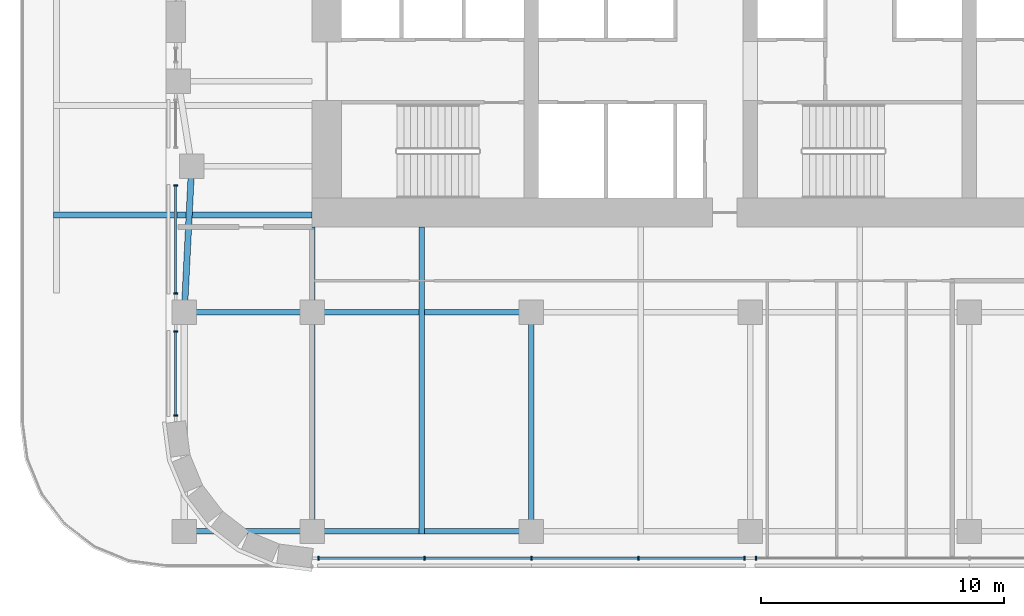
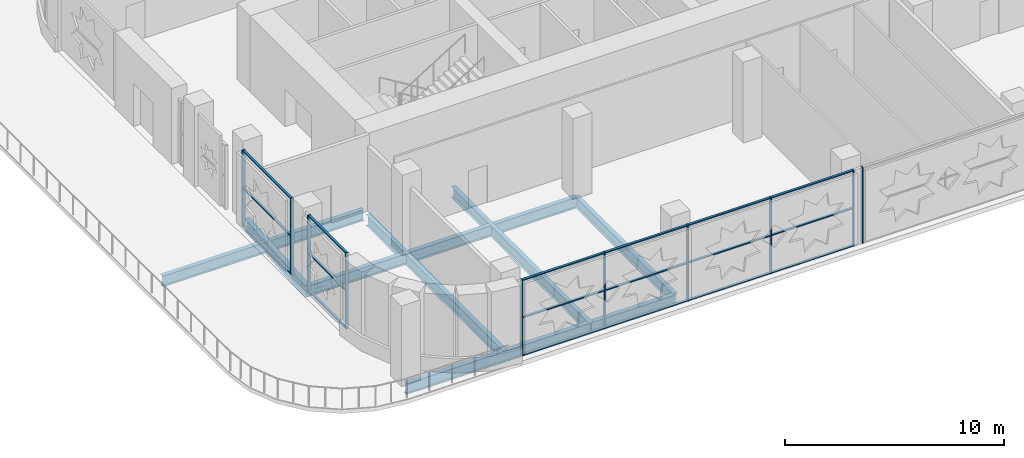
# One storey, part 2 of 26: 28 members, 7 beams, 4 elements without a shape of their own.
"""IFC4 building model written with IfcOpenShell, lengths in metres."""

from ifc_helpers import new_model, si_unit, direction, frame, origin, origin_2d, place, context, subcontext, project, spatial, rectangle, i_section, extrude, material, material_profile, profile_set, type_object, element, aggregate, save


model = new_model("IFC4")

# Units and contexts
model_context = context("Model", 3, precision=1e-05, world=origin(), true_north=direction((0.0, 1.0)))
body_context = subcontext(model_context, "Body", "Model", "MODEL_VIEW")
ifc_project = project(units=[si_unit("LENGTHUNIT", "METRE"), si_unit("AREAUNIT", "SQUARE_METRE"), si_unit("VOLUMEUNIT", "CUBIC_METRE"), si_unit("PLANEANGLEUNIT", "RADIAN"), si_unit("MASSUNIT", "GRAM", prefix="KILO")], contexts=[model_context])

# Site, building, storey
site_placement = place(None, origin())
site = spatial("IfcSite", under=ifc_project, at=site_placement, CompositionType="ELEMENT")
building_placement = place(site_placement, origin())
building = spatial("IfcBuilding", under=site, at=building_placement, Name="Zellij Exchange Tower", CompositionType="ELEMENT")
storey_placement = place(building_placement, frame((0.0, 0.0, 39.0)))
storey = spatial("IfcBuildingStorey", under=building, at=storey_placement, Name="L06", CompositionType="ELEMENT", Elevation=39.0)

# Curtain wall, members
ifc_material_1 = material(Name="Aluminium frame, clear insulating glass", Category="aluminium")
curtain_wall_type = type_object("IfcCurtainWallType", Name="ENV-CW1 Sky-garden glazing", PredefinedType="NOTDEFINED", material=ifc_material_1)
curtain_wall_1_placement = place(storey_placement, origin())
curtain_wall_1 = element("IfcCurtainWall", 1, at=curtain_wall_1_placement, inside=storey, type_object=curtain_wall_type, Name="cw.L06.00a", PredefinedType="NOTDEFINED")
ifc_material_2 = material(Name="Aluminium", Category="aluminium")
ifc_material_profile_1 = material_profile(ifc_material_2, rectangle(XDim=0.06005859375, YDim=0.159912109375, at=origin_2d()), Name="AL 60x160")
ifc_profile_set_1 = profile_set([ifc_material_profile_1], Name="Aluminium")
member_type_1 = type_object("IfcMemberType", Name="ENV-CW1M Mullion 60x160", PredefinedType="MULLION", material=ifc_profile_set_1)
member_1_placement = place(storey_placement, frame((-26.743896484375, -27.60009765625, 0.0), z_axis=(0.0, 0.0, 1.0), x_axis=(1.0, 0.0, 0.0)))
member_1 = element("IfcMember", 2, at=member_1_placement, type_object=member_type_1, Name="CW1 mullion 1", PredefinedType="MULLION", context=body_context, shape_type="SweptSolid", body=[
    extrude(rectangle(XDim=0.06005859375, YDim=0.159912109375, at=origin_2d()), origin(), (0.0, 0.0, 1.0), 4.25),
])
member_2_placement = place(storey_placement, frame((-22.38037109375, -27.60009765625, 0.0), z_axis=(0.0, 0.0, 1.0), x_axis=(1.0, 0.0, 0.0)))
member_2 = element("IfcMember", 3, at=member_2_placement, type_object=member_type_1, Name="CW1 mullion 2", PredefinedType="MULLION", context=body_context, shape_type="SweptSolid", body=[
    extrude(rectangle(XDim=0.06005859375, YDim=0.159912109375, at=origin_2d()), origin(), (0.0, 0.0, 1.0), 4.25),
])
member_3_placement = place(storey_placement, frame((-17.98681640625, -27.60009765625, 0.0), z_axis=(0.0, 0.0, 1.0), x_axis=(1.0, 0.0, 0.0)))
member_3 = element("IfcMember", 4, at=member_3_placement, type_object=member_type_1, Name="CW1 mullion 3", PredefinedType="MULLION", context=body_context, shape_type="SweptSolid", body=[
    extrude(rectangle(XDim=0.06005859375, YDim=0.159912109375, at=origin_2d()), origin(), (0.0, 0.0, 1.0), 4.25),
])
member_4_placement = place(storey_placement, frame((-13.593505859375, -27.60009765625, 0.0), z_axis=(0.0, 0.0, 1.0), x_axis=(1.0, 0.0, 0.0)))
member_4 = element("IfcMember", 5, at=member_4_placement, type_object=member_type_1, Name="CW1 mullion 4", PredefinedType="MULLION", context=body_context, shape_type="SweptSolid", body=[
    extrude(rectangle(XDim=0.06005859375, YDim=0.159912109375, at=origin_2d()), origin(), (0.0, 0.0, 1.0), 4.25),
])
member_5_placement = place(storey_placement, frame((-9.22998046875, -27.60009765625, 0.0), z_axis=(0.0, 0.0, 1.0), x_axis=(1.0, 0.0, 0.0)))
member_5 = element("IfcMember", 6, at=member_5_placement, type_object=member_type_1, Name="CW1 mullion 5", PredefinedType="MULLION", context=body_context, shape_type="SweptSolid", body=[
    extrude(rectangle(XDim=0.06005859375, YDim=0.159912109375, at=origin_2d()), origin(), (0.0, 0.0, 1.0), 4.25),
])

# Curtain wall, member
curtain_wall_2_placement = place(storey_placement, origin())
curtain_wall_2 = element("IfcCurtainWall", 7, at=curtain_wall_2_placement, inside=storey, type_object=curtain_wall_type, Name="cw.L06.00b", PredefinedType="NOTDEFINED")
member_6_placement = place(storey_placement, frame((-8.77001953125, -27.60009765625, 0.0), z_axis=(0.0, 0.0, 1.0), x_axis=(1.0, 0.0, 0.0)))
member_6 = element("IfcMember", 8, at=member_6_placement, type_object=member_type_1, Name="CW1 mullion 1", PredefinedType="MULLION", context=body_context, shape_type="SweptSolid", body=[
    extrude(rectangle(XDim=0.06005859375, YDim=0.159912109375, at=origin_2d()), origin(), (0.0, 0.0, 1.0), 4.25),
])
aggregate(curtain_wall_2, [member_6])

# Curtain wall, members
curtain_wall_3_placement = place(storey_placement, origin())
curtain_wall_3 = element("IfcCurtainWall", 9, at=curtain_wall_3_placement, inside=storey, type_object=curtain_wall_type, Name="cw.L06.21e", PredefinedType="NOTDEFINED")
member_7_placement = place(storey_placement, frame((-32.60009765625, -12.280029296875, 0.0), z_axis=(0.0, 0.0, 1.0), x_axis=(0.0, -1.0, 0.0)))
member_7 = element("IfcMember", 10, at=member_7_placement, type_object=member_type_1, Name="CW1 mullion 1", PredefinedType="MULLION", context=body_context, shape_type="SweptSolid", body=[
    extrude(rectangle(XDim=0.06005859375, YDim=0.159912109375, at=origin_2d()), origin(), (0.0, 0.0, 1.0), 4.25),
])
member_8_placement = place(storey_placement, frame((-32.60009765625, -16.719970703125, 0.0), z_axis=(0.0, 0.0, 1.0), x_axis=(0.0, -1.0, 0.0)))
member_8 = element("IfcMember", 11, at=member_8_placement, type_object=member_type_1, Name="CW1 mullion 2", PredefinedType="MULLION", context=body_context, shape_type="SweptSolid", body=[
    extrude(rectangle(XDim=0.06005859375, YDim=0.159912109375, at=origin_2d()), origin(), (0.0, 0.0, 1.0), 4.25),
])

curtain_wall_4_placement = place(storey_placement, origin())
curtain_wall_4 = element("IfcCurtainWall", 12, at=curtain_wall_4_placement, inside=storey, type_object=curtain_wall_type, Name="cw.L06.21f", PredefinedType="NOTDEFINED")
member_9_placement = place(storey_placement, frame((-32.60009765625, -18.280029296875, 0.0), z_axis=(0.0, 0.0, 1.0), x_axis=(0.0, -1.0, 0.0)))
member_9 = element("IfcMember", 13, at=member_9_placement, type_object=member_type_1, Name="CW1 mullion 1", PredefinedType="MULLION", context=body_context, shape_type="SweptSolid", body=[
    extrude(rectangle(XDim=0.06005859375, YDim=0.159912109375, at=origin_2d()), origin(), (0.0, 0.0, 1.0), 4.25),
])
member_10_placement = place(storey_placement, frame((-32.60009765625, -21.743896484375, 0.0), z_axis=(0.0, 0.0, 1.0), x_axis=(0.0, -1.0, 0.0)))
member_10 = element("IfcMember", 14, at=member_10_placement, type_object=member_type_1, Name="CW1 mullion 2", PredefinedType="MULLION", context=body_context, shape_type="SweptSolid", body=[
    extrude(rectangle(XDim=0.06005859375, YDim=0.159912109375, at=origin_2d()), origin(), (0.0, 0.0, 1.0), 4.25),
])

# Member
ifc_material_profile_2 = material_profile(ifc_material_2, rectangle(XDim=0.1201171875, YDim=0.06005859375, at=origin_2d()), Name="AL 120x60")
ifc_profile_set_2 = profile_set([ifc_material_profile_2], Name="Aluminium")
member_type_2 = type_object("IfcMemberType", Name="ENV-CW1T Transom 120x60", PredefinedType="USERDEFINED", material=ifc_profile_set_2)
member_11_placement = place(storey_placement, frame((-26.7138671875, -27.60009765625, 0.030029296875), z_axis=(1.0, 0.0, 0.0), x_axis=(0.0, 1.0, 0.0)))
member_11 = element("IfcMember", 15, at=member_11_placement, type_object=member_type_2, Name="CW1 transom 1.1", ObjectType="TRANSOM", PredefinedType="USERDEFINED", context=body_context, shape_type="SweptSolid", body=[
    extrude(rectangle(XDim=0.1201171875, YDim=0.06005859375, at=origin_2d()), origin(), (0.0, 0.0, 1.0), 4.303466796875),
])

member_12_placement = place(storey_placement, frame((-26.7138671875, -27.60009765625, 2.125), z_axis=(1.0, 0.0, 0.0), x_axis=(0.0, 1.0, 0.0)))
member_12 = element("IfcMember", 16, at=member_12_placement, type_object=member_type_2, Name="CW1 transom 1.2", ObjectType="TRANSOM", PredefinedType="USERDEFINED", context=body_context, shape_type="SweptSolid", body=[
    extrude(rectangle(XDim=0.1201171875, YDim=0.06005859375, at=origin_2d()), origin(), (0.0, 0.0, 1.0), 4.303466796875),
])

member_13_placement = place(storey_placement, frame((-26.7138671875, -27.60009765625, 4.219970703125), z_axis=(1.0, 0.0, 0.0), x_axis=(0.0, 1.0, 0.0)))
member_13 = element("IfcMember", 17, at=member_13_placement, type_object=member_type_2, Name="CW1 transom 1.3", ObjectType="TRANSOM", PredefinedType="USERDEFINED", context=body_context, shape_type="SweptSolid", body=[
    extrude(rectangle(XDim=0.1201171875, YDim=0.06005859375, at=origin_2d()), origin(), (0.0, 0.0, 1.0), 4.303466796875),
])

member_14_placement = place(storey_placement, frame((-22.350341796875, -27.60009765625, 0.030029296875), z_axis=(1.0, 0.0, 0.0), x_axis=(0.0, 1.0, 0.0)))
member_14 = element("IfcMember", 18, at=member_14_placement, type_object=member_type_2, Name="CW1 transom 2.1", ObjectType="TRANSOM", PredefinedType="USERDEFINED", context=body_context, shape_type="SweptSolid", body=[
    extrude(rectangle(XDim=0.1201171875, YDim=0.06005859375, at=origin_2d()), origin(), (0.0, 0.0, 1.0), 4.33349609375),
])

member_15_placement = place(storey_placement, frame((-22.350341796875, -27.60009765625, 2.125), z_axis=(1.0, 0.0, 0.0), x_axis=(0.0, 1.0, 0.0)))
member_15 = element("IfcMember", 19, at=member_15_placement, type_object=member_type_2, Name="CW1 transom 2.2", ObjectType="TRANSOM", PredefinedType="USERDEFINED", context=body_context, shape_type="SweptSolid", body=[
    extrude(rectangle(XDim=0.1201171875, YDim=0.06005859375, at=origin_2d()), origin(), (0.0, 0.0, 1.0), 4.33349609375),
])

member_16_placement = place(storey_placement, frame((-22.350341796875, -27.60009765625, 4.219970703125), z_axis=(1.0, 0.0, 0.0), x_axis=(0.0, 1.0, 0.0)))
member_16 = element("IfcMember", 20, at=member_16_placement, type_object=member_type_2, Name="CW1 transom 2.3", ObjectType="TRANSOM", PredefinedType="USERDEFINED", context=body_context, shape_type="SweptSolid", body=[
    extrude(rectangle(XDim=0.1201171875, YDim=0.06005859375, at=origin_2d()), origin(), (0.0, 0.0, 1.0), 4.33349609375),
])

member_17_placement = place(storey_placement, frame((-17.956787109375, -27.60009765625, 0.030029296875), z_axis=(1.0, 0.0, 0.0), x_axis=(0.0, 1.0, 0.0)))
member_17 = element("IfcMember", 21, at=member_17_placement, type_object=member_type_2, Name="CW1 transom 3.1", ObjectType="TRANSOM", PredefinedType="USERDEFINED", context=body_context, shape_type="SweptSolid", body=[
    extrude(rectangle(XDim=0.1201171875, YDim=0.06005859375, at=origin_2d()), origin(), (0.0, 0.0, 1.0), 4.333251953125),
])

member_18_placement = place(storey_placement, frame((-17.956787109375, -27.60009765625, 2.125), z_axis=(1.0, 0.0, 0.0), x_axis=(0.0, 1.0, 0.0)))
member_18 = element("IfcMember", 22, at=member_18_placement, type_object=member_type_2, Name="CW1 transom 3.2", ObjectType="TRANSOM", PredefinedType="USERDEFINED", context=body_context, shape_type="SweptSolid", body=[
    extrude(rectangle(XDim=0.1201171875, YDim=0.06005859375, at=origin_2d()), origin(), (0.0, 0.0, 1.0), 4.333251953125),
])

member_19_placement = place(storey_placement, frame((-17.956787109375, -27.60009765625, 4.219970703125), z_axis=(1.0, 0.0, 0.0), x_axis=(0.0, 1.0, 0.0)))
member_19 = element("IfcMember", 23, at=member_19_placement, type_object=member_type_2, Name="CW1 transom 3.3", ObjectType="TRANSOM", PredefinedType="USERDEFINED", context=body_context, shape_type="SweptSolid", body=[
    extrude(rectangle(XDim=0.1201171875, YDim=0.06005859375, at=origin_2d()), origin(), (0.0, 0.0, 1.0), 4.333251953125),
])

member_20_placement = place(storey_placement, frame((-13.5634765625, -27.60009765625, 0.030029296875), z_axis=(1.0, 0.0, 0.0), x_axis=(0.0, 1.0, 0.0)))
member_20 = element("IfcMember", 24, at=member_20_placement, type_object=member_type_2, Name="CW1 transom 4.1", ObjectType="TRANSOM", PredefinedType="USERDEFINED", context=body_context, shape_type="SweptSolid", body=[
    extrude(rectangle(XDim=0.1201171875, YDim=0.06005859375, at=origin_2d()), origin(), (0.0, 0.0, 1.0), 4.303466796875),
])

member_21_placement = place(storey_placement, frame((-13.5634765625, -27.60009765625, 2.125), z_axis=(1.0, 0.0, 0.0), x_axis=(0.0, 1.0, 0.0)))
member_21 = element("IfcMember", 25, at=member_21_placement, type_object=member_type_2, Name="CW1 transom 4.2", ObjectType="TRANSOM", PredefinedType="USERDEFINED", context=body_context, shape_type="SweptSolid", body=[
    extrude(rectangle(XDim=0.1201171875, YDim=0.06005859375, at=origin_2d()), origin(), (0.0, 0.0, 1.0), 4.303466796875),
])

member_22_placement = place(storey_placement, frame((-13.5634765625, -27.60009765625, 4.219970703125), z_axis=(1.0, 0.0, 0.0), x_axis=(0.0, 1.0, 0.0)))
member_22 = element("IfcMember", 26, at=member_22_placement, type_object=member_type_2, Name="CW1 transom 4.3", ObjectType="TRANSOM", PredefinedType="USERDEFINED", context=body_context, shape_type="SweptSolid", body=[
    extrude(rectangle(XDim=0.1201171875, YDim=0.06005859375, at=origin_2d()), origin(), (0.0, 0.0, 1.0), 4.303466796875),
])

aggregate(curtain_wall_1, [member_1, member_2, member_3, member_4, member_5, member_11, member_12, member_13, member_14, member_15, member_16, member_17, member_18, member_19, member_20, member_21, member_22])

member_23_placement = place(storey_placement, frame((-32.60009765625, -12.31005859375, 0.030029296875), z_axis=(0.0, -1.0, 0.0), x_axis=(1.0, 0.0, 0.0)))
member_23 = element("IfcMember", 27, at=member_23_placement, type_object=member_type_2, Name="CW1 transom 1.1", ObjectType="TRANSOM", PredefinedType="USERDEFINED", context=body_context, shape_type="SweptSolid", body=[
    extrude(rectangle(XDim=0.1201171875, YDim=0.06005859375, at=origin_2d()), origin(), (0.0, 0.0, 1.0), 4.3798828125),
])

member_24_placement = place(storey_placement, frame((-32.60009765625, -12.31005859375, 2.125), z_axis=(0.0, -1.0, 0.0), x_axis=(1.0, 0.0, 0.0)))
member_24 = element("IfcMember", 28, at=member_24_placement, type_object=member_type_2, Name="CW1 transom 1.2", ObjectType="TRANSOM", PredefinedType="USERDEFINED", context=body_context, shape_type="SweptSolid", body=[
    extrude(rectangle(XDim=0.1201171875, YDim=0.06005859375, at=origin_2d()), origin(), (0.0, 0.0, 1.0), 4.3798828125),
])

member_25_placement = place(storey_placement, frame((-32.60009765625, -12.31005859375, 4.219970703125), z_axis=(0.0, -1.0, 0.0), x_axis=(1.0, 0.0, 0.0)))
member_25 = element("IfcMember", 29, at=member_25_placement, type_object=member_type_2, Name="CW1 transom 1.3", ObjectType="TRANSOM", PredefinedType="USERDEFINED", context=body_context, shape_type="SweptSolid", body=[
    extrude(rectangle(XDim=0.1201171875, YDim=0.06005859375, at=origin_2d()), origin(), (0.0, 0.0, 1.0), 4.3798828125),
])

aggregate(curtain_wall_3, [member_7, member_8, member_23, member_24, member_25])

member_26_placement = place(storey_placement, frame((-32.60009765625, -18.31005859375, 0.030029296875), z_axis=(0.0, -1.0, 0.0), x_axis=(1.0, 0.0, 0.0)))
member_26 = element("IfcMember", 30, at=member_26_placement, type_object=member_type_2, Name="CW1 transom 1.1", ObjectType="TRANSOM", PredefinedType="USERDEFINED", context=body_context, shape_type="SweptSolid", body=[
    extrude(rectangle(XDim=0.1201171875, YDim=0.06005859375, at=origin_2d()), origin(), (0.0, 0.0, 1.0), 3.40380859375),
])

member_27_placement = place(storey_placement, frame((-32.60009765625, -18.31005859375, 2.125), z_axis=(0.0, -1.0, 0.0), x_axis=(1.0, 0.0, 0.0)))
member_27 = element("IfcMember", 31, at=member_27_placement, type_object=member_type_2, Name="CW1 transom 1.2", ObjectType="TRANSOM", PredefinedType="USERDEFINED", context=body_context, shape_type="SweptSolid", body=[
    extrude(rectangle(XDim=0.1201171875, YDim=0.06005859375, at=origin_2d()), origin(), (0.0, 0.0, 1.0), 3.40380859375),
])

member_28_placement = place(storey_placement, frame((-32.60009765625, -18.31005859375, 4.219970703125), z_axis=(0.0, -1.0, 0.0), x_axis=(1.0, 0.0, 0.0)))
member_28 = element("IfcMember", 32, at=member_28_placement, type_object=member_type_2, Name="CW1 transom 1.3", ObjectType="TRANSOM", PredefinedType="USERDEFINED", context=body_context, shape_type="SweptSolid", body=[
    extrude(rectangle(XDim=0.1201171875, YDim=0.06005859375, at=origin_2d()), origin(), (0.0, 0.0, 1.0), 3.40380859375),
])

aggregate(curtain_wall_4, [member_9, member_10, member_26, member_27, member_28])

# Beams
ifc_material_3 = material(Name="Structural steel ASTM A992 Gr 50", Category="steel")
ifc_material_profile_3 = material_profile(ifc_material_3, i_section(OverallWidth=0.22900390625, OverallDepth=0.612060546875, WebThickness=0.011962890625, FlangeThickness=0.01953125, at=origin_2d()), Name="W24x84")
ifc_profile_set_3 = profile_set([ifc_material_profile_3], Name="Structural steel ASTM A992 Gr 50")
beam_type_1 = type_object("IfcBeamType", Name="STR-BEAM W24x84", PredefinedType="BEAM", material=ifc_profile_set_3)
beam_1_placement = place(storey_placement, frame((-22.5, -26.614501953125, -0.55615234375), z_axis=(0.0, 1.0, 0.0), x_axis=(-1.0, 0.0, 0.0)))
element("IfcBeam", 33, at=beam_1_placement, inside=storey, type_object=beam_type_1, Name="B6", PredefinedType="BEAM", context=body_context, shape_type="SweptSolid", body=[
    extrude(i_section(OverallWidth=0.22900390625, OverallDepth=0.612060546875, WebThickness=0.011962890625, FlangeThickness=0.01953125, at=origin_2d()), origin(), (0.0, 0.0, 1.0), 12.614501953125),
])
beam_2_placement = place(storey_placement, frame((-37.614501953125, -13.5, -0.55615234375), z_axis=(1.0, 0.0, 0.0), x_axis=(0.0, 1.0, 0.0)))
element("IfcBeam", 34, at=beam_2_placement, inside=storey, type_object=beam_type_1, Name="B6", PredefinedType="BEAM", context=body_context, shape_type="SweptSolid", body=[
    extrude(i_section(OverallWidth=0.22900390625, OverallDepth=0.612060546875, WebThickness=0.011962890625, FlangeThickness=0.01953125, at=origin_2d()), origin(), (0.0, 0.0, 1.0), 10.614501953125),
])
ifc_material_profile_4 = material_profile(ifc_material_3, i_section(OverallWidth=0.25390625, OverallDepth=0.67822265625, WebThickness=0.01171875, FlangeThickness=0.016357421875, at=origin_2d()), Name="W27x84")
ifc_profile_set_4 = profile_set([ifc_material_profile_4], Name="Structural steel ASTM A992 Gr 50")
beam_type_2 = type_object("IfcBeamType", Name="STR-EDGE GIRDER W27x84", PredefinedType="BEAM", material=ifc_profile_set_4)
beam_3_placement = place(storey_placement, frame((-32.25, -17.5, -0.589111328125), z_axis=(0.049945724537, 0.998751933465, 0.0), x_axis=(-0.998751933465, 0.049945724537, 0.0)))
element("IfcBeam", 35, at=beam_3_placement, inside=storey, type_object=beam_type_2, Name="EB7", PredefinedType="BEAM", context=body_context, shape_type="SweptSolid", body=[
    extrude(i_section(OverallWidth=0.25390625, OverallDepth=0.67822265625, WebThickness=0.01171875, FlangeThickness=0.016357421875, at=origin_2d()), origin(), (0.0, 0.0, 1.0), 6.007568359375),
])
ifc_material_profile_5 = material_profile(ifc_material_3, i_section(OverallWidth=0.22900390625, OverallDepth=0.612060546875, WebThickness=0.011962890625, FlangeThickness=0.01953125, at=origin_2d()), Name="W24x84")
ifc_profile_set_5 = profile_set([ifc_material_profile_5], Name="Structural steel ASTM A992 Gr 50")
beam_type_3 = type_object("IfcBeamType", Name="STR-GIRDER W24x84", PredefinedType="BEAM", material=ifc_profile_set_5)
for number, where, z_axis, x_axis, name in (
    (36, (-32.25, -26.5, -0.55615234375), (1.0, 0.0, 0.0), (0.0, 1.0, 0.0), "G4"),
    (37, (-32.25, -17.5, -0.55615234375), (1.0, 0.0, 0.0), (0.0, 1.0, 0.0), "G4"),
):
    element("IfcBeam", number, at=place(storey_placement, frame(where, z_axis=z_axis, x_axis=x_axis)), inside=storey, type_object=beam_type_3, Name=name, PredefinedType="BEAM", context=body_context, shape_type="SweptSolid", body=[
        extrude(i_section(OverallWidth=0.22900390625, OverallDepth=0.612060546875, WebThickness=0.011962890625, FlangeThickness=0.01953125, at=origin_2d()), origin(), (0.0, 0.0, 1.0), 14.25),
    ])
beam_4_placement = place(storey_placement, frame((-27.0, -26.5, -0.55615234375), z_axis=(0.0, 1.0, 0.0), x_axis=(-1.0, 0.0, 0.0)))
element("IfcBeam", 38, at=beam_4_placement, inside=storey, type_object=beam_type_3, Name="G4", PredefinedType="BEAM", context=body_context, shape_type="SweptSolid", body=[
    extrude(i_section(OverallWidth=0.22900390625, OverallDepth=0.612060546875, WebThickness=0.011962890625, FlangeThickness=0.01953125, at=origin_2d()), origin(), (0.0, 0.0, 1.0), 12.5),
])
beam_5_placement = place(storey_placement, frame((-18.0, -26.5, -0.55615234375), z_axis=(0.0, 1.0, 0.0), x_axis=(-1.0, 0.0, 0.0)))
element("IfcBeam", 39, at=beam_5_placement, inside=storey, type_object=beam_type_3, Name="G4", PredefinedType="BEAM", context=body_context, shape_type="SweptSolid", body=[
    extrude(i_section(OverallWidth=0.22900390625, OverallDepth=0.612060546875, WebThickness=0.011962890625, FlangeThickness=0.01953125, at=origin_2d()), origin(), (0.0, 0.0, 1.0), 9.0),
])

save(model, "model.ifc")
